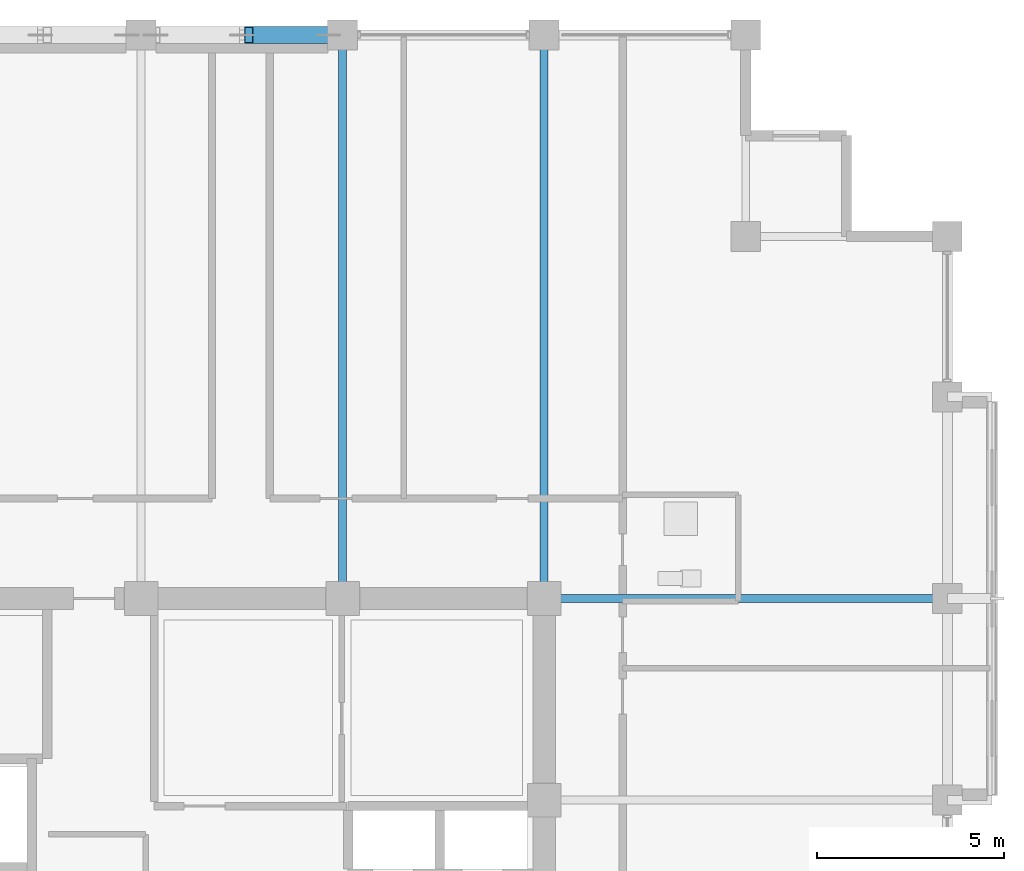
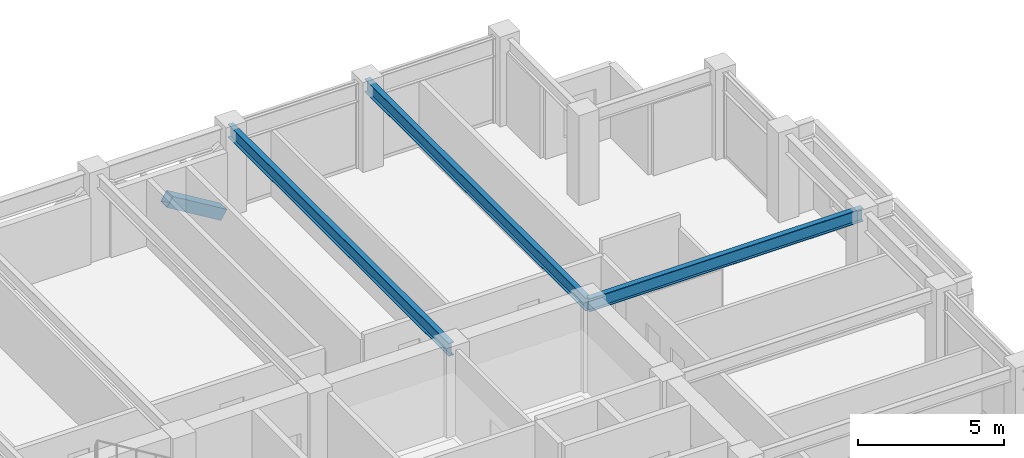
# One storey, part 21 of 32: 3 beams, 1 member.
"""IFC4 building model written with IfcOpenShell, lengths in metres."""

from ifc_helpers import new_model, si_unit, direction, frame, origin, origin_2d, place, context, subcontext, project, spatial, hollow_rectangle, i_section, extrude, material, material_profile, profile_set, type_object, element, save


model = new_model("IFC4")

# Units and contexts
model_context = context("Model", 3, precision=1e-05, world=origin(), true_north=direction((0.0, 1.0)))
body_context = subcontext(model_context, "Body", "Model", "MODEL_VIEW")
ifc_project = project(units=[si_unit("LENGTHUNIT", "METRE"), si_unit("AREAUNIT", "SQUARE_METRE"), si_unit("VOLUMEUNIT", "CUBIC_METRE"), si_unit("PLANEANGLEUNIT", "RADIAN"), si_unit("MASSUNIT", "GRAM", prefix="KILO")], contexts=[model_context])

# Site, building, storey
site_placement = place(None, origin())
site = spatial("IfcSite", under=ifc_project, at=site_placement, CompositionType="ELEMENT")
building_placement = place(site_placement, origin())
building = spatial("IfcBuilding", under=site, at=building_placement, Name="Surkhivell Harbour Commons", CompositionType="ELEMENT")
storey_placement = place(building_placement, frame((0.0, 0.0, 234.75)))
storey = spatial("IfcBuildingStorey", under=building, at=storey_placement, Name="L61", CompositionType="ELEMENT", Elevation=234.75)

# Beams
ifc_material_1 = material(Name="Steel S355", Category="steel")
ifc_material_profile_1 = material_profile(ifc_material_1, i_section(OverallWidth=0.2119140625, OverallDepth=0.5439453125, WebThickness=0.0126953125, FlangeThickness=0.021240234375, at=origin_2d()), Name="UB533x210x122")
ifc_profile_set_1 = profile_set([ifc_material_profile_1], Name="Steel S355")
beam_type = type_object("IfcBeamType", Name="BM-GRD-533A", PredefinedType="BEAM", material=ifc_profile_set_1)
for number, where, z_axis, x_axis, name in (
    (1, (5.39990234375, 10.800048828125, 3.298095703125), (0.0, 1.0, 0.0), (-1.0, 0.0, 0.0), "L61 Floor Girder (5.4,10.8)"),
    (2, (10.800048828125, 10.800048828125, 3.298095703125), (0.0, 1.0, 0.0), (-1.0, 0.0, 0.0), "L61 Floor Girder (10.8,10.8)"),
):
    element("IfcBeam", number, at=place(storey_placement, frame(where, z_axis=z_axis, x_axis=x_axis)), inside=storey, type_object=beam_type, Name=name, PredefinedType="BEAM", context=body_context, shape_type="SweptSolid", body=[
        extrude(i_section(OverallWidth=0.2119140625, OverallDepth=0.5439453125, WebThickness=0.0126953125, FlangeThickness=0.021240234375, at=origin_2d()), origin(), (0.0, 0.0, 1.0), 15.099853515625),
    ])
beam_placement = place(storey_placement, frame((10.800048828125, 10.800048828125, 3.298095703125), z_axis=(1.0, 0.0, 0.0), x_axis=(0.0, 1.0, 0.0)))
element("IfcBeam", 3, at=beam_placement, inside=storey, type_object=beam_type, Name="L61 Floor Girder (10.8,10.8)", PredefinedType="BEAM", context=body_context, shape_type="SweptSolid", body=[
    extrude(i_section(OverallWidth=0.2119140625, OverallDepth=0.5439453125, WebThickness=0.0126953125, FlangeThickness=0.021240234375, at=origin_2d()), origin(), (0.0, 0.0, 1.0), 10.800048828125),
])

# Member
ifc_material_2 = material(Name="Steel S460", Category="steel")
ifc_material_profile_2 = material_profile(ifc_material_2, hollow_rectangle(XDim=0.449951171875, YDim=0.449951171875, WallThickness=0.02197265625, at=origin_2d()), Name="SHS450x450x22")
ifc_profile_set_2 = profile_set([ifc_material_profile_2], Name="Steel S460")
member_type = type_object("IfcMemberType", Name="MEM-BRC-SHS450", PredefinedType="BRACE", material=ifc_profile_set_2)
member_placement = place(storey_placement, frame((5.014892578125, 25.89990234375, 0.008056640625), z_axis=(-0.856034952881, 0.0, 0.516917942662), x_axis=(0.0, -1.0, 0.0)))
element("IfcMember", 4, at=member_placement, inside=storey, type_object=member_type, Name="L61 Perimeter Mega-Brace MB- 05", PredefinedType="BRACE", context=body_context, shape_type="SweptSolid", body=[
    extrude(hollow_rectangle(XDim=0.449951171875, YDim=0.449951171875, WallThickness=0.02197265625, at=origin_2d()), origin(), (0.0, 0.0, 1.0), 2.488037109375),
])

save(model, "model.ifc")
